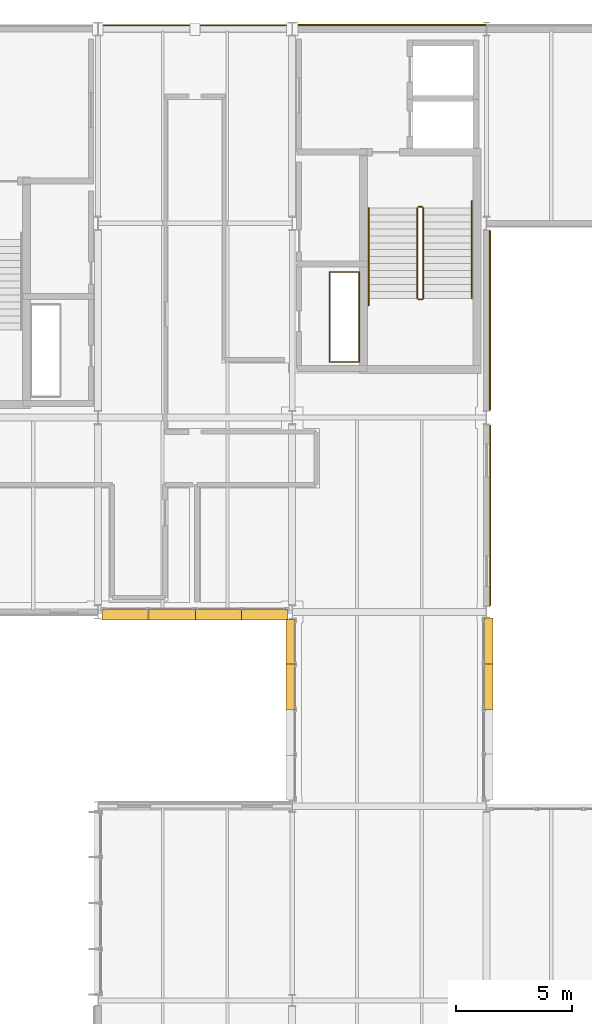
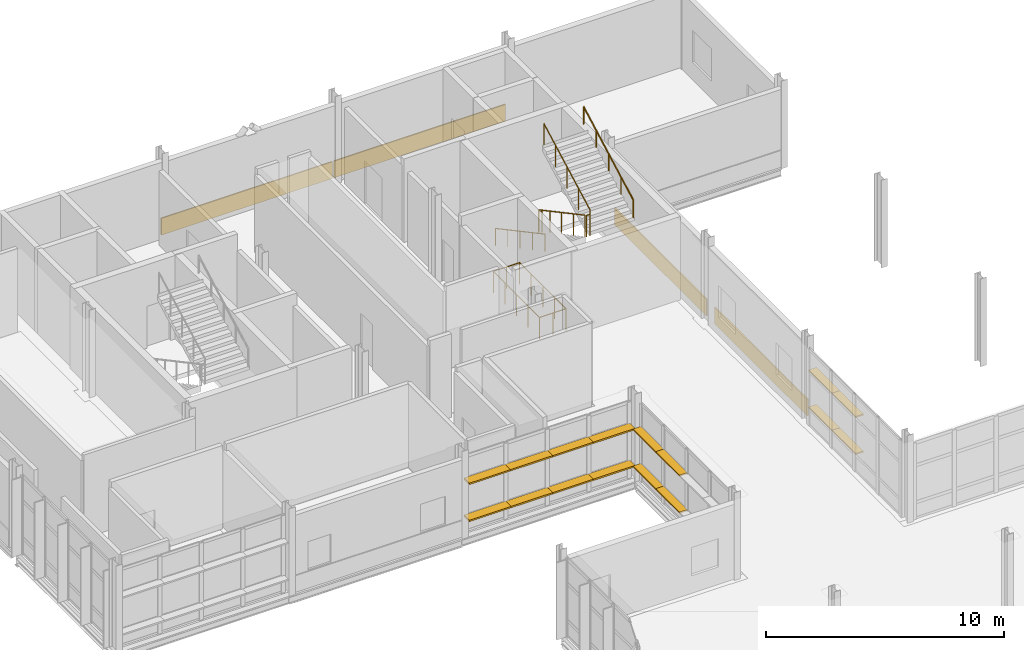
# One storey, part 128 of 129: 16 shading devices, 7 railings, 4 coverings.
"""IFC4 building model written with IfcOpenShell, lengths in metres."""

from ifc_helpers import new_model, si_unit, direction, frame, origin, origin_2d, place, context, subcontext, project, spatial, rectangle, circle, extrude, material, layer, layer_set, type_object, element, save


model = new_model("IFC4")

# Units and contexts
model_context = context("Model", 3, precision=1e-05, world=origin(), true_north=direction((0.0, 1.0)))
body_context = subcontext(model_context, "Body", "Model", "MODEL_VIEW")
ifc_project = project(units=[si_unit("LENGTHUNIT", "METRE"), si_unit("AREAUNIT", "SQUARE_METRE"), si_unit("VOLUMEUNIT", "CUBIC_METRE"), si_unit("PLANEANGLEUNIT", "RADIAN"), si_unit("MASSUNIT", "GRAM", prefix="KILO")], contexts=[model_context])

# Site, building, storey
site_placement = place(None, origin())
site = spatial("IfcSite", under=ifc_project, at=site_placement, CompositionType="ELEMENT")
building_placement = place(site_placement, origin())
building = spatial("IfcBuilding", under=site, at=building_placement, Name="Mersafa Astral City Hall", CompositionType="ELEMENT")
storey_placement = place(building_placement, frame((0.0, 0.0, 5.39990234375)))
storey = spatial("IfcBuildingStorey", under=building, at=storey_placement, Name="L01", CompositionType="ELEMENT", Elevation=5.39990234375)

# Coverings
ifc_material_1 = material(Name="Cairo Mokattam buff limestone cladding", Category="masonry")
ifc_layer = layer(ifc_material_1, 0.06005859375, Name="Cairo Mokattam buff limestone cladding")
ifc_layer_set = layer_set([ifc_layer], Name="Cairo Mokattam buff limestone cladding — ENV-COV-LIMESTONE-60")
covering_type = type_object("IfcCoveringType", Name="ENV-COV-LIMESTONE-60", PredefinedType="CLADDING", material=ifc_layer_set)
covering_1_placement = place(storey_placement, frame((176.56201171875, 104.97509765625, 0.0), z_axis=(0.0, 0.0, 1.0), x_axis=(0.0, 1.0, 0.0)))
element("IfcCovering", 1, at=covering_1_placement, inside=storey, type_object=covering_type, Name="L01 Cairo buff limestone rainscreen cladding 92", PredefinedType="CLADDING", context=body_context, shape_type="SweptSolid", body=[
    extrude(rectangle(XDim=7.798095703125, YDim=0.06005859375, at=origin_2d()), origin(), (0.0, 0.0, 1.0), 0.860107421875),
])
covering_2_placement = place(storey_placement, frame((176.554443359375, 113.39990234375, 0.0), z_axis=(0.0, 0.0, 1.0), x_axis=(0.0, 1.0, 0.0)))
element("IfcCovering", 2, at=covering_2_placement, inside=storey, type_object=covering_type, Name="L01 Cairo buff limestone rainscreen cladding 93", PredefinedType="CLADDING", context=body_context, shape_type="SweptSolid", body=[
    extrude(rectangle(XDim=7.748046875, YDim=0.06005859375, at=origin_2d()), origin(), (0.0, 0.0, 1.0), 0.860107421875),
])
for number, where, z_axis, x_axis, name in (
    (3, (172.199951171875, 126.16943359375, 0.0), (0.0, 0.0, 1.0), (-1.0, 0.0, 0.0), "L01 Cairo buff limestone rainscreen cladding 97"),
    (4, (163.800048828125, 126.162109375, 0.0), (0.0, 0.0, 1.0), (-1.0, 0.0, 0.0), "L01 Cairo buff limestone rainscreen cladding 98"),
):
    element("IfcCovering", number, at=place(storey_placement, frame(where, z_axis=z_axis, x_axis=x_axis)), inside=storey, type_object=covering_type, Name=name, PredefinedType="CLADDING", context=body_context, shape_type="SweptSolid", body=[
        extrude(rectangle(XDim=8.323974609375, YDim=0.06005859375, at=origin_2d()), origin(), (0.0, 0.0, 1.0), 0.860107421875),
    ])

# Shading devices
ifc_material_2 = material(Name="Kiln-dried cedar timber brise-soleil blade", Category="wood")
shading_device_type_1 = type_object("IfcShadingDeviceType", Name="ENV-SHD-LOUVRE-380", PredefinedType="JALOUSIE", material=ifc_material_2)
shading_device_1_placement = place(storey_placement, frame((167.919921875, 99.49462890625, 0.81494140625), z_axis=(0.0, 0.0, 1.0), x_axis=(0.0, -1.0, 0.0)))
element("IfcShadingDevice", 5, at=shading_device_1_placement, inside=storey, type_object=shading_device_type_1, Name="L01 Horizontal cedar brise-soleil louvre 427", PredefinedType="JALOUSIE", context=body_context, shape_type="SweptSolid", body=[
    extrude(rectangle(XDim=1.966552734375, YDim=0.3798828125, at=origin_2d()), origin(), (0.0, 0.0, 1.0), 0.070068359375),
])
shading_device_2_placement = place(storey_placement, frame((167.919921875, 97.55322265625, 0.81494140625), z_axis=(0.0, 0.0, 1.0), x_axis=(0.0, -1.0, 0.0)))
element("IfcShadingDevice", 6, at=shading_device_2_placement, inside=storey, type_object=shading_device_type_1, Name="L01 Horizontal cedar brise-soleil louvre 428", PredefinedType="JALOUSIE", context=body_context, shape_type="SweptSolid", body=[
    extrude(rectangle(XDim=1.99658203125, YDim=0.3798828125, at=origin_2d()), origin(), (0.0, 0.0, 1.0), 0.070068359375),
])
shading_device_3_placement = place(storey_placement, frame((167.919921875, 99.49462890625, 2.71484375), z_axis=(0.0, 0.0, 1.0), x_axis=(0.0, -1.0, 0.0)))
element("IfcShadingDevice", 7, at=shading_device_3_placement, inside=storey, type_object=shading_device_type_1, Name="L01 Horizontal cedar brise-soleil louvre 431", PredefinedType="JALOUSIE", context=body_context, shape_type="SweptSolid", body=[
    extrude(rectangle(XDim=1.966552734375, YDim=0.3798828125, at=origin_2d()), origin(), (0.0, 0.0, 1.0), 0.070068359375),
])
shading_device_4_placement = place(storey_placement, frame((167.919921875, 97.55322265625, 2.71484375), z_axis=(0.0, 0.0, 1.0), x_axis=(0.0, -1.0, 0.0)))
element("IfcShadingDevice", 8, at=shading_device_4_placement, inside=storey, type_object=shading_device_type_1, Name="L01 Horizontal cedar brise-soleil louvre 432", PredefinedType="JALOUSIE", context=body_context, shape_type="SweptSolid", body=[
    extrude(rectangle(XDim=1.99658203125, YDim=0.3798828125, at=origin_2d()), origin(), (0.0, 0.0, 1.0), 0.070068359375),
])
shading_device_5_placement = place(storey_placement, frame((176.47998046875, 97.58447265625, 0.81494140625), z_axis=(0.0, 0.0, 1.0), x_axis=(0.0, 1.0, 0.0)))
element("IfcShadingDevice", 9, at=shading_device_5_placement, inside=storey, type_object=shading_device_type_1, Name="L01 Horizontal cedar brise-soleil louvre 492", PredefinedType="JALOUSIE", context=body_context, shape_type="SweptSolid", body=[
    extrude(rectangle(XDim=2.009033203125, YDim=0.3798828125, at=origin_2d()), origin(), (0.0, 0.0, 1.0), 0.070068359375),
])
shading_device_6_placement = place(storey_placement, frame((176.47998046875, 99.53857421875, 0.81494140625), z_axis=(0.0, 0.0, 1.0), x_axis=(0.0, 1.0, 0.0)))
element("IfcShadingDevice", 10, at=shading_device_6_placement, inside=storey, type_object=shading_device_type_1, Name="L01 Horizontal cedar brise-soleil louvre 493", PredefinedType="JALOUSIE", context=body_context, shape_type="SweptSolid", body=[
    extrude(rectangle(XDim=1.97900390625, YDim=0.3798828125, at=origin_2d()), origin(), (0.0, 0.0, 1.0), 0.070068359375),
])
shading_device_7_placement = place(storey_placement, frame((176.47998046875, 97.58447265625, 2.71484375), z_axis=(0.0, 0.0, 1.0), x_axis=(0.0, 1.0, 0.0)))
element("IfcShadingDevice", 11, at=shading_device_7_placement, inside=storey, type_object=shading_device_type_1, Name="L01 Horizontal cedar brise-soleil louvre 496", PredefinedType="JALOUSIE", context=body_context, shape_type="SweptSolid", body=[
    extrude(rectangle(XDim=2.009033203125, YDim=0.3798828125, at=origin_2d()), origin(), (0.0, 0.0, 1.0), 0.070068359375),
])
shading_device_8_placement = place(storey_placement, frame((176.47998046875, 99.53857421875, 2.71484375), z_axis=(0.0, 0.0, 1.0), x_axis=(0.0, 1.0, 0.0)))
element("IfcShadingDevice", 12, at=shading_device_8_placement, inside=storey, type_object=shading_device_type_1, Name="L01 Horizontal cedar brise-soleil louvre 497", PredefinedType="JALOUSIE", context=body_context, shape_type="SweptSolid", body=[
    extrude(rectangle(XDim=1.97900390625, YDim=0.3798828125, at=origin_2d()), origin(), (0.0, 0.0, 1.0), 0.070068359375),
])
shading_device_type_2 = type_object("IfcShadingDeviceType", Name="ENV-SHD-LOUVRE-450", PredefinedType="JALOUSIE", material=ifc_material_2)
shading_device_9_placement = place(storey_placement, frame((160.78662109375, 100.68505859375, 0.81005859375), z_axis=(0.0, 0.0, 1.0), x_axis=(1.0, 0.0, 0.0)))
element("IfcShadingDevice", 13, at=shading_device_9_placement, inside=storey, type_object=shading_device_type_2, Name="L01 Horizontal cedar brise-soleil louvre 419", PredefinedType="JALOUSIE", context=body_context, shape_type="SweptSolid", body=[
    extrude(rectangle(XDim=2.029052734375, YDim=0.449951171875, at=origin_2d()), origin(), (0.0, 0.0, 1.0), 0.080078125),
])
for number, where, z_axis, x_axis, name in (
    (14, (162.79052734375, 100.68505859375, 0.81005859375), (0.0, 0.0, 1.0), (1.0, 0.0, 0.0), "L01 Horizontal cedar brise-soleil louvre 420"),
    (15, (164.8095703125, 100.68505859375, 0.81005859375), (0.0, 0.0, 1.0), (1.0, 0.0, 0.0), "L01 Horizontal cedar brise-soleil louvre 421"),
):
    element("IfcShadingDevice", number, at=place(storey_placement, frame(where, z_axis=z_axis, x_axis=x_axis)), inside=storey, type_object=shading_device_type_2, Name=name, PredefinedType="JALOUSIE", context=body_context, shape_type="SweptSolid", body=[
        extrude(rectangle(XDim=2.05908203125, YDim=0.449951171875, at=origin_2d()), origin(), (0.0, 0.0, 1.0), 0.080078125),
    ])
for number, where, z_axis, x_axis, name in (
    (16, (166.8134765625, 100.68505859375, 0.81005859375), (0.0, 0.0, 1.0), (1.0, 0.0, 0.0), "L01 Horizontal cedar brise-soleil louvre 422"),
    (17, (160.78662109375, 100.68505859375, 2.7099609375), (0.0, 0.0, 1.0), (1.0, 0.0, 0.0), "L01 Horizontal cedar brise-soleil louvre 423"),
):
    element("IfcShadingDevice", number, at=place(storey_placement, frame(where, z_axis=z_axis, x_axis=x_axis)), inside=storey, type_object=shading_device_type_2, Name=name, PredefinedType="JALOUSIE", context=body_context, shape_type="SweptSolid", body=[
        extrude(rectangle(XDim=2.029052734375, YDim=0.449951171875, at=origin_2d()), origin(), (0.0, 0.0, 1.0), 0.080078125),
    ])
for number, where, z_axis, x_axis, name in (
    (18, (162.79052734375, 100.68505859375, 2.7099609375), (0.0, 0.0, 1.0), (1.0, 0.0, 0.0), "L01 Horizontal cedar brise-soleil louvre 424"),
    (19, (164.8095703125, 100.68505859375, 2.7099609375), (0.0, 0.0, 1.0), (1.0, 0.0, 0.0), "L01 Horizontal cedar brise-soleil louvre 425"),
):
    element("IfcShadingDevice", number, at=place(storey_placement, frame(where, z_axis=z_axis, x_axis=x_axis)), inside=storey, type_object=shading_device_type_2, Name=name, PredefinedType="JALOUSIE", context=body_context, shape_type="SweptSolid", body=[
        extrude(rectangle(XDim=2.05908203125, YDim=0.449951171875, at=origin_2d()), origin(), (0.0, 0.0, 1.0), 0.080078125),
    ])
shading_device_10_placement = place(storey_placement, frame((166.8134765625, 100.68505859375, 2.7099609375), z_axis=(0.0, 0.0, 1.0), x_axis=(1.0, 0.0, 0.0)))
element("IfcShadingDevice", 20, at=shading_device_10_placement, inside=storey, type_object=shading_device_type_2, Name="L01 Horizontal cedar brise-soleil louvre 426", PredefinedType="JALOUSIE", context=body_context, shape_type="SweptSolid", body=[
    extrude(rectangle(XDim=2.029052734375, YDim=0.449951171875, at=origin_2d()), origin(), (0.0, 0.0, 1.0), 0.080078125),
])

# Railings
ifc_material_3 = material(Name="Painted architectural steel stair guard balustrade", Category="steel")
railing_type_1 = type_object("IfcRailingType", Name="GUARD-RAIL", PredefinedType="BALUSTRADE", material=ifc_material_3)
railing_1_placement = place(storey_placement, frame((173.409912109375, 118.260009765625, 0.160888671875)))
element("IfcRailing", 21, at=railing_1_placement, inside=storey, type_object=railing_type_1, Name="L01 ST2 stair guard 1", PredefinedType="BALUSTRADE", context=body_context, shape_type="SweptSolid", body=[
    extrude(circle(Radius=0.02392578125, at=origin_2d()), frame((0.0, 0.0, 1.09619140625), z_axis=(0.0, -0.881491454809, 0.472199973632), x_axis=(1.0, 0.0, 0.0)), (0.0, 0.0, 1.0), 4.42431640625),
    extrude(circle(Radius=0.02099609375, at=origin_2d()), origin(), (0.0, 0.0, 1.0), 1.072021484375),
    extrude(circle(Radius=0.02099609375, at=origin_2d()), frame((0.0, -0.97509765625, 0.522216796875)), (0.0, 0.0, 1.0), 1.072021484375),
    extrude(circle(Radius=0.02099609375, at=origin_2d()), frame((0.0, -1.949951171875, 1.04443359375)), (0.0, 0.0, 1.0), 1.072021484375),
    extrude(circle(Radius=0.02099609375, at=origin_2d()), frame((0.0, -2.9248046875, 1.56689453125)), (0.0, 0.0, 1.0), 1.072021484375),
    extrude(circle(Radius=0.02099609375, at=origin_2d()), frame((0.0, -3.89990234375, 2.089111328125)), (0.0, 0.0, 1.0), 1.072021484375),
])
railing_2_placement = place(storey_placement, frame((173.4599609375, 114.31005859375, 2.25)))
element("IfcRailing", 22, at=railing_2_placement, inside=storey, type_object=railing_type_1, Name="L01 ST2 stair guard 2", PredefinedType="BALUSTRADE", context=body_context, shape_type="SweptSolid", body=[
    extrude(circle(Radius=0.02392578125, at=origin_2d()), frame((0.0, 0.0, 1.09619140625), z_axis=(1.0, 0.0, 0.0), x_axis=(0.0, 1.0, 0.0)), (0.0, 0.0, 1.0), 0.16015625),
    extrude(circle(Radius=0.02099609375, at=origin_2d()), origin(), (0.0, 0.0, 1.0), 1.072021484375),
    extrude(circle(Radius=0.02099609375, at=origin_2d()), frame((0.16015625, 0.0, 0.0)), (0.0, 0.0, 1.0), 1.072021484375),
])
railing_3_placement = place(storey_placement, frame((173.669921875, 114.360107421875, 2.410888671875)))
element("IfcRailing", 23, at=railing_3_placement, inside=storey, type_object=railing_type_1, Name="L01 ST2 stair guard 3", PredefinedType="BALUSTRADE", context=body_context, shape_type="SweptSolid", body=[
    extrude(circle(Radius=0.02392578125, at=origin_2d()), frame((0.0, 0.0, 1.09619140625), z_axis=(0.0, 0.881491454809, 0.472199973632), x_axis=(-1.0, 0.0, 0.0)), (0.0, 0.0, 1.0), 4.42431640625),
    extrude(circle(Radius=0.02099609375, at=origin_2d()), origin(), (0.0, 0.0, 1.0), 1.072021484375),
    extrude(circle(Radius=0.02099609375, at=origin_2d()), frame((0.0, 0.97509765625, 0.522216796875)), (0.0, 0.0, 1.0), 1.072021484375),
    extrude(circle(Radius=0.02099609375, at=origin_2d()), frame((0.0, 1.949951171875, 1.04443359375)), (0.0, 0.0, 1.0), 1.072021484375),
    extrude(circle(Radius=0.02099609375, at=origin_2d()), frame((0.0, 2.9248046875, 1.56689453125)), (0.0, 0.0, 1.0), 1.072021484375),
    extrude(circle(Radius=0.02099609375, at=origin_2d()), frame((0.0, 3.89990234375, 2.089111328125)), (0.0, 0.0, 1.0), 1.072021484375),
])
railing_4_placement = place(storey_placement, frame((173.4599609375, 118.31005859375, 0.0)))
element("IfcRailing", 24, at=railing_4_placement, inside=storey, type_object=railing_type_1, Name="L01 ST2 stair guard 4", PredefinedType="BALUSTRADE", context=body_context, shape_type="SweptSolid", body=[
    extrude(circle(Radius=0.02392578125, at=origin_2d()), frame((0.0, 0.0, 1.09619140625), z_axis=(1.0, 0.0, 0.0), x_axis=(0.0, 1.0, 0.0)), (0.0, 0.0, 1.0), 0.16015625),
    extrude(circle(Radius=0.02099609375, at=origin_2d()), origin(), (0.0, 0.0, 1.0), 1.072021484375),
    extrude(circle(Radius=0.02099609375, at=origin_2d()), frame((0.16015625, 0.0, 0.0)), (0.0, 0.0, 1.0), 1.072021484375),
])
railing_5_placement = place(storey_placement, frame((169.6201171875, 111.60009765625, 0.0)))
element("IfcRailing", 25, at=railing_5_placement, inside=storey, type_object=railing_type_1, Name="L01 K2 MEP Riser Shaft Guard", PredefinedType="BALUSTRADE", context=body_context, shape_type="SweptSolid", body=[
    extrude(circle(Radius=0.02392578125, at=origin_2d()), frame((0.0, 0.0, 1.09619140625), z_axis=(1.0, 0.0, 0.0), x_axis=(0.0, 1.0, 0.0)), (0.0, 0.0, 1.0), 1.27978515625),
    extrude(circle(Radius=0.02392578125, at=origin_2d()), frame((1.27978515625, 0.0, 1.09619140625), z_axis=(0.0, 1.0, 0.0), x_axis=(-1.0, 0.0, 0.0)), (0.0, 0.0, 1.0), 3.89990234375),
    extrude(circle(Radius=0.02392578125, at=origin_2d()), frame((1.27978515625, 3.89990234375, 1.09619140625), z_axis=(-1.0, 0.0, 0.0), x_axis=(0.0, -1.0, 0.0)), (0.0, 0.0, 1.0), 1.27978515625),
    extrude(circle(Radius=0.02392578125, at=origin_2d()), frame((0.0, 3.89990234375, 1.09619140625), z_axis=(0.0, -1.0, 0.0), x_axis=(1.0, 0.0, 0.0)), (0.0, 0.0, 1.0), 3.89990234375),
    extrude(circle(Radius=0.02099609375, at=origin_2d()), origin(), (0.0, 0.0, 1.0), 1.072021484375),
    extrude(circle(Radius=0.02099609375, at=origin_2d()), frame((0.639892578125, 0.0, 0.0)), (0.0, 0.0, 1.0), 1.072021484375),
    extrude(circle(Radius=0.02099609375, at=origin_2d()), frame((1.27978515625, 0.0, 0.0)), (0.0, 0.0, 1.0), 1.072021484375),
    extrude(circle(Radius=0.02099609375, at=origin_2d()), frame((1.27978515625, 0.97509765625, 0.0)), (0.0, 0.0, 1.0), 1.072021484375),
    extrude(circle(Radius=0.02099609375, at=origin_2d()), frame((1.27978515625, 1.949951171875, 0.0)), (0.0, 0.0, 1.0), 1.072021484375),
    extrude(circle(Radius=0.02099609375, at=origin_2d()), frame((1.27978515625, 2.9248046875, 0.0)), (0.0, 0.0, 1.0), 1.072021484375),
    extrude(circle(Radius=0.02099609375, at=origin_2d()), frame((1.27978515625, 3.89990234375, 0.0)), (0.0, 0.0, 1.0), 1.072021484375),
    extrude(circle(Radius=0.02099609375, at=origin_2d()), frame((0.639892578125, 3.89990234375, 0.0)), (0.0, 0.0, 1.0), 1.072021484375),
    extrude(circle(Radius=0.02099609375, at=origin_2d()), frame((0.0, 3.89990234375, 0.0)), (0.0, 0.0, 1.0), 1.072021484375),
    extrude(circle(Radius=0.02099609375, at=origin_2d()), frame((0.0, 2.9248046875, 0.0)), (0.0, 0.0, 1.0), 1.072021484375),
    extrude(circle(Radius=0.02099609375, at=origin_2d()), frame((0.0, 1.949951171875, 0.0)), (0.0, 0.0, 1.0), 1.072021484375),
    extrude(circle(Radius=0.02099609375, at=origin_2d()), frame((0.0, 0.97509765625, 0.0)), (0.0, 0.0, 1.0), 1.072021484375),
])
ifc_material_4 = material(Name="Brushed stainless steel tubular handrail", Category="steel")
railing_type_2 = type_object("IfcRailingType", Name="HANDRAIL", PredefinedType="HANDRAIL", material=ifc_material_4)
railing_6_placement = place(storey_placement, frame((171.31005859375, 118.260009765625, 0.160888671875)))
element("IfcRailing", 26, at=railing_6_placement, inside=storey, type_object=railing_type_2, Name="L01 ST2 stair handrail 1", PredefinedType="HANDRAIL", context=body_context, shape_type="SweptSolid", body=[
    extrude(circle(Radius=0.02392578125, at=origin_2d()), frame((0.0, 0.0, 0.8759765625), z_axis=(0.0, -0.881221683169, 0.472703231546), x_axis=(1.0, 0.0, 0.0)), (0.0, 0.0, 1.0), 4.76611328125),
    extrude(circle(Radius=0.02099609375, at=origin_2d()), origin(), (0.0, 0.0, 1.0), 0.851806640625),
    extrude(circle(Radius=0.02099609375, at=origin_2d()), frame((0.0, -1.050048828125, 0.563232421875)), (0.0, 0.0, 1.0), 0.851806640625),
    extrude(circle(Radius=0.02099609375, at=origin_2d()), frame((0.0, -2.10009765625, 1.12646484375)), (0.0, 0.0, 1.0), 0.851806640625),
    extrude(circle(Radius=0.02099609375, at=origin_2d()), frame((0.0, -3.14990234375, 1.689697265625)), (0.0, 0.0, 1.0), 0.851806640625),
    extrude(circle(Radius=0.02099609375, at=origin_2d()), frame((0.0, -4.199951171875, 2.2529296875)), (0.0, 0.0, 1.0), 0.851806640625),
])
railing_7_placement = place(storey_placement, frame((175.77001953125, 114.360107421875, 2.410888671875)))
element("IfcRailing", 27, at=railing_7_placement, inside=storey, type_object=railing_type_2, Name="L01 ST2 stair handrail 2", PredefinedType="HANDRAIL", context=body_context, shape_type="SweptSolid", body=[
    extrude(circle(Radius=0.02392578125, at=origin_2d()), frame((0.0, 0.0, 0.8759765625), z_axis=(0.0, 0.881221683169, 0.472703231546), x_axis=(-1.0, 0.0, 0.0)), (0.0, 0.0, 1.0), 4.76611328125),
    extrude(circle(Radius=0.02099609375, at=origin_2d()), origin(), (0.0, 0.0, 1.0), 0.851806640625),
    extrude(circle(Radius=0.02099609375, at=origin_2d()), frame((0.0, 1.050048828125, 0.563232421875)), (0.0, 0.0, 1.0), 0.851806640625),
    extrude(circle(Radius=0.02099609375, at=origin_2d()), frame((0.0, 2.10009765625, 1.12646484375)), (0.0, 0.0, 1.0), 0.851806640625),
    extrude(circle(Radius=0.02099609375, at=origin_2d()), frame((0.0, 3.14990234375, 1.689697265625)), (0.0, 0.0, 1.0), 0.851806640625),
    extrude(circle(Radius=0.02099609375, at=origin_2d()), frame((0.0, 4.199951171875, 2.2529296875)), (0.0, 0.0, 1.0), 0.851806640625),
])

save(model, "model.ifc")
